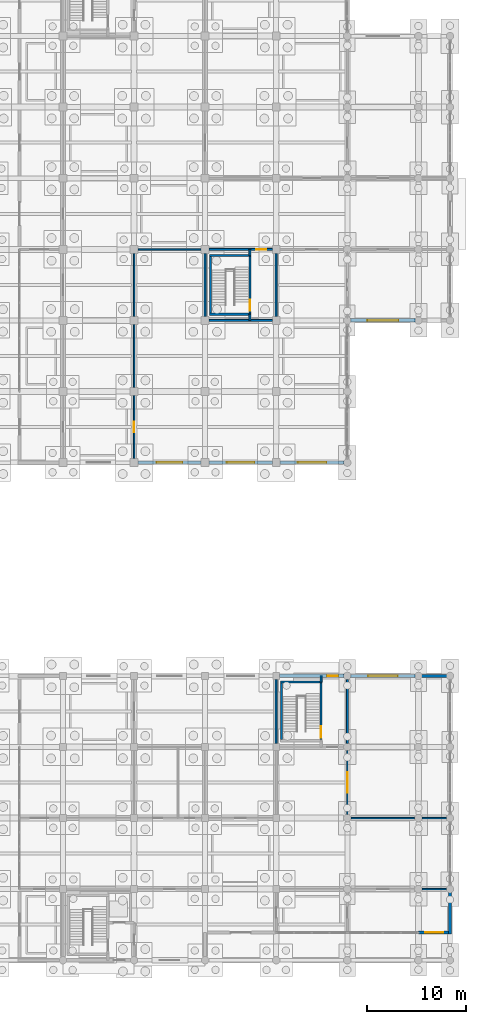
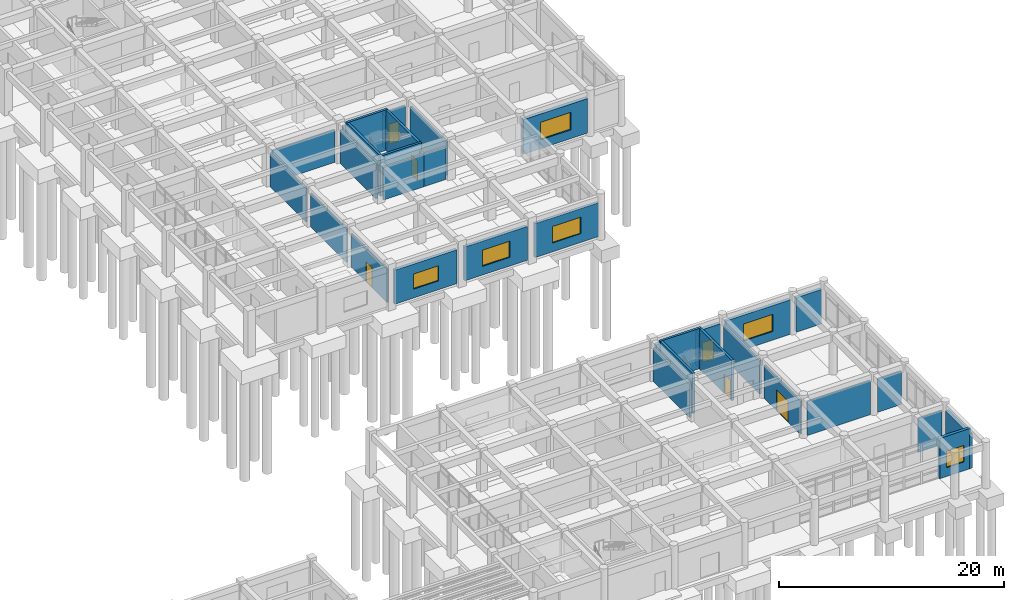
# One storey, part 67 of 79: 35 walls, 6 doors, 6 windows, 12 openings.
"""IFC4 building model written with IfcOpenShell, lengths in metres."""

from ifc_helpers import new_model, si_unit, direction, frame, frame_2d, origin, place, context, subcontext, project, spatial, rectangle, extrude, material, layer, layer_set, type_object, element, fill, save


model = new_model("IFC4")

# Units and contexts
model_context = context("Model", 3, precision=1e-05, world=origin(), true_north=direction((0.0, 1.0)))
body_context = subcontext(model_context, "Body", "Model", "MODEL_VIEW")
ifc_project = project(units=[si_unit("LENGTHUNIT", "METRE"), si_unit("AREAUNIT", "SQUARE_METRE"), si_unit("VOLUMEUNIT", "CUBIC_METRE"), si_unit("PLANEANGLEUNIT", "RADIAN"), si_unit("MASSUNIT", "GRAM", prefix="KILO")], contexts=[model_context])

# Site, building, storey
site_placement = place(None, origin())
site = spatial("IfcSite", under=ifc_project, at=site_placement, CompositionType="ELEMENT")
building_placement = place(site_placement, origin())
building = spatial("IfcBuilding", under=site, at=building_placement, Name="Kavelor Marine Aquarium", CompositionType="ELEMENT")
storey_placement = place(building_placement, origin())
storey = spatial("IfcBuildingStorey", under=building, at=storey_placement, Name="L00", CompositionType="ELEMENT", Elevation=0.0)

# Wall, opening, door
ifc_material_1 = material(Name="Concrete C45/55", Category="concrete")
ifc_layer_1 = layer(ifc_material_1, 0.360107421875)
ifc_layer_set_1 = layer_set([ifc_layer_1], Name="WL-EX1")
wall_type_1 = type_object("IfcWallType", Name="WL-EX1", PredefinedType="STANDARD", material=ifc_layer_set_1)
wall_1_placement = place(storey_placement, frame((147.544921875, 31.60009765625, 0.0), z_axis=(0.0, 0.0, 1.0), x_axis=(1.0, 0.0, 0.0)))
wall_1 = element("IfcWall", 1, at=wall_1_placement, inside=storey, type_object=wall_type_1, Name="ew:x:L00:20_04", PredefinedType="STANDARD", context=body_context, shape_type="SweptSolid", body=[
    extrude(rectangle(XDim=6.545166015625, YDim=0.360107421875, at=frame_2d((3.2724609375, 0.0))), origin(), (0.0, 0.0, 1.0), 3.669921875),
])
opening_1_placement = place(wall_1_placement, frame((4.820068359375, 0.0, 0.0)))
opening_1 = element("IfcOpeningElement", 2, at=opening_1_placement, cuts=wall_1, Name="Opening SD2", PredefinedType="OPENING", context=body_context, shape_type="SweptSolid", body=[
    extrude(rectangle(XDim=1.10009765625, YDim=2.14990234375, at=frame_2d((0.550048828125, 1.074951171875))), frame((0.0, 0.18994140625, 0.0), z_axis=(0.0, -1.0, 0.0), x_axis=(1.0, 0.0, 0.0)), (0.0, 0.0, 1.0), 0.380107),
])
ifc_material_2 = material(Name="Marine-Grade Anodised Aluminium and Laminated Safety Glass", Category="aluminium")
door_type_1 = type_object("IfcDoorType", Name="DR-SD2", OperationType="NOTDEFINED", PredefinedType="DOOR", material=ifc_material_2)
door_1_placement = place(opening_1_placement, origin())
door_1 = element("IfcDoor", 3, at=door_1_placement, inside=storey, type_object=door_type_1, Name="Protected Stair Exterior Exit Door SD2 (C09)", OperationType="SINGLE_SWING_RIGHT", OverallHeight=2.14990234375, OverallWidth=1.10009765625, PredefinedType="DOOR", context=body_context, shape_type="SweptSolid", body=[
    extrude(rectangle(XDim=1.10009765625, YDim=2.14990234375, at=frame_2d((0.550048828125, 1.074951171875))), frame((0.0, 0.02490234375, 0.0), z_axis=(0.0, -1.0, 0.0), x_axis=(1.0, 0.0, 0.0)), (0.0, 0.0, 1.0), 0.050048828125),
])
fill(opening_1, door_1)

# Wall, opening, window
wall_2_placement = place(storey_placement, frame((161.2900390625, 67.60009765625, 0.0), z_axis=(0.0, 0.0, 1.0), x_axis=(-1.0, 0.0, 0.0)))
wall_2 = element("IfcWall", 4, at=wall_2_placement, inside=storey, type_object=wall_type_1, Name="ew:x:L00:21_09", PredefinedType="STANDARD", context=body_context, shape_type="SweptSolid", body=[
    extrude(rectangle(XDim=6.580078125, YDim=0.360107421875, at=frame_2d((3.2900390625, 0.0))), origin(), (0.0, 0.0, 1.0), 3.75),
])
opening_2_placement = place(wall_2_placement, frame((1.715087890625, 0.0, 0.949951171875)))
opening_2 = element("IfcOpeningElement", 5, at=opening_2_placement, cuts=wall_2, Name="Opening W21", PredefinedType="OPENING", context=body_context, shape_type="SweptSolid", body=[
    extrude(rectangle(XDim=3.14990234375, YDim=1.89990234375, at=frame_2d((1.574951171875, 0.949951171875))), frame((0.0, 0.18994140625, 0.0), z_axis=(0.0, -1.0, 0.0), x_axis=(1.0, 0.0, 0.0)), (0.0, 0.0, 1.0), 0.380107),
])
ifc_material_3 = material(Name="Anodised Aluminium Frame with Low-E Double Glazing", Category="aluminium")
window_type_1 = type_object("IfcWindowType", Name="WIN-W21", PartitioningType="DOUBLE_PANEL_VERTICAL", PredefinedType="WINDOW", material=ifc_material_3)
window_1_placement = place(opening_2_placement, origin())
window_1 = element("IfcWindow", 6, at=window_1_placement, inside=storey, type_object=window_type_1, Name="win:x:L00:21_09", OverallHeight=1.89990234375, OverallWidth=3.14990234375, PartitioningType="SINGLE_PANEL", PredefinedType="WINDOW", context=body_context, shape_type="SweptSolid", body=[
    extrude(rectangle(XDim=3.14990234375, YDim=1.89990234375, at=frame_2d((1.574951171875, 0.949951171875))), frame((0.0, 0.030029296875, 0.0), z_axis=(0.0, -1.0, 0.0), x_axis=(1.0, 0.0, 0.0)), (0.0, 0.0, 1.0), 0.06005859375),
])
fill(opening_2, window_1)

ifc_material_4 = material(Name="Concrete C45/55", Category="concrete")
ifc_layer_2 = layer(ifc_material_4, 0.320068359375)
ifc_layer_set_2 = layer_set([ifc_layer_2], Name="WL-EX2")
wall_type_2 = type_object("IfcWallType", Name="WL-EX2", PredefinedType="STANDARD", material=ifc_layer_set_2)
wall_3_placement = place(storey_placement, frame((139.60498046875, 53.199951171875, 0.0), z_axis=(0.0, 0.0, 1.0), x_axis=(-1.0, 0.0, 0.0)))
wall_3 = element("IfcWall", 7, at=wall_3_placement, inside=storey, type_object=wall_type_2, Name="ew:x:L00:18_07", PredefinedType="STANDARD", context=body_context, shape_type="SweptSolid", body=[
    extrude(rectangle(XDim=6.409912109375, YDim=0.320068359375, at=frame_2d((3.205078125, 0.0))), origin(), (0.0, 0.0, 1.0), 3.669921875),
])
opening_3_placement = place(wall_3_placement, frame((1.905029296875, 0.0, 0.949951171875)))
opening_3 = element("IfcOpeningElement", 8, at=opening_3_placement, cuts=wall_3, Name="Opening W16", PredefinedType="OPENING", context=body_context, shape_type="SweptSolid", body=[
    extrude(rectangle(XDim=2.60009765625, YDim=1.64990234375, at=frame_2d((1.300048828125, 0.824951171875))), frame((0.0, 0.169921875, 0.0), z_axis=(0.0, -1.0, 0.0), x_axis=(1.0, 0.0, 0.0)), (0.0, 0.0, 1.0), 0.340068),
])
ifc_material_5 = material(Name="Anodised Aluminium Frame with Low-E Double Glazing", Category="aluminium")
window_type_2 = type_object("IfcWindowType", Name="WIN-W16", PartitioningType="DOUBLE_PANEL_VERTICAL", PredefinedType="WINDOW", material=ifc_material_5)
window_2_placement = place(opening_3_placement, origin())
window_2 = element("IfcWindow", 9, at=window_2_placement, inside=storey, type_object=window_type_2, Name="win:x:L00:18_07", OverallHeight=1.64990234375, OverallWidth=2.60009765625, PartitioningType="SINGLE_PANEL", PredefinedType="WINDOW", context=body_context, shape_type="SweptSolid", body=[
    extrude(rectangle(XDim=2.60009765625, YDim=1.64990234375, at=frame_2d((1.300048828125, 0.824951171875))), frame((0.0, 0.030029296875, 0.0), z_axis=(0.0, -1.0, 0.0), x_axis=(1.0, 0.0, 0.0)), (0.0, 0.0, 1.0), 0.06005859375),
])
fill(opening_3, window_2)

wall_4_placement = place(storey_placement, frame((154.7099609375, 31.60009765625, 0.0), z_axis=(0.0, 0.0, 1.0), x_axis=(1.0, 0.0, 0.0)))
wall_4 = element("IfcWall", 10, at=wall_4_placement, inside=storey, type_object=wall_type_2, Name="ew:x:L00:21_04", PredefinedType="STANDARD", context=body_context, shape_type="SweptSolid", body=[
    extrude(rectangle(XDim=6.580078125, YDim=0.320068359375, at=frame_2d((3.2900390625, 0.0))), origin(), (0.0, 0.0, 1.0), 3.75),
])
opening_4_placement = place(wall_4_placement, frame((1.7900390625, 0.0, 0.949951171875)))
opening_4 = element("IfcOpeningElement", 11, at=opening_4_placement, cuts=wall_4, Name="Opening W20", PredefinedType="OPENING", context=body_context, shape_type="SweptSolid", body=[
    extrude(rectangle(XDim=3.0, YDim=1.85009765625, at=frame_2d((1.5, 0.925048828125))), frame((0.0, 0.169921875, 0.0), z_axis=(0.0, -1.0, 0.0), x_axis=(1.0, 0.0, 0.0)), (0.0, 0.0, 1.0), 0.340068),
])
ifc_material_6 = material(Name="Anodised Aluminium Frame with Low-E Double Glazing", Category="aluminium")
window_type_3 = type_object("IfcWindowType", Name="WIN-W20", PartitioningType="DOUBLE_PANEL_VERTICAL", PredefinedType="WINDOW", material=ifc_material_6)
window_3_placement = place(opening_4_placement, origin())
window_3 = element("IfcWindow", 12, at=window_3_placement, inside=storey, type_object=window_type_3, Name="win:x:L00:21_04", OverallHeight=1.85009765625, OverallWidth=3.0, PartitioningType="SINGLE_PANEL", PredefinedType="WINDOW", context=body_context, shape_type="SweptSolid", body=[
    extrude(rectangle(XDim=3.0, YDim=1.85009765625, at=frame_2d((1.5, 0.925048828125))), frame((0.0, 0.030029296875, 0.0), z_axis=(0.0, -1.0, 0.0), x_axis=(1.0, 0.0, 0.0)), (0.0, 0.0, 1.0), 0.06005859375),
])
fill(opening_4, window_3)

wall_5_placement = place(storey_placement, frame((164.800048828125, 5.60009765625, 0.0), z_axis=(0.0, 0.0, 1.0), x_axis=(-1.0, 0.0, 0.0)))
wall_5 = element("IfcWall", 13, at=wall_5_placement, inside=storey, type_object=wall_type_2, Name="ew:arc:v3s:22", PredefinedType="STANDARD", context=body_context, shape_type="SweptSolid", body=[
    extrude(rectangle(XDim=3.199951171875, YDim=0.300048828125, at=frame_2d((1.60009765625, 0.0))), origin(), (0.0, 0.0, 1.0), 4.3701171875),
])
opening_5_placement = place(wall_5_placement, frame((0.699951171875, 0.0, 0.949951171875)))
opening_5 = element("IfcOpeningElement", 14, at=opening_5_placement, cuts=wall_5, Name="Opening W08", PredefinedType="OPENING", context=body_context, shape_type="SweptSolid", body=[
    extrude(rectangle(XDim=1.800048828125, YDim=1.800048828125, at=frame_2d((0.89990234375, 0.89990234375))), frame((0.0, 0.159912109375, 0.0), z_axis=(0.0, -1.0, 0.0), x_axis=(1.0, 0.0, 0.0)), (0.0, 0.0, 1.0), 0.320049),
])
ifc_material_7 = material(Name="Anodised Aluminium Frame with Low-E Double Glazing", Category="aluminium")
window_type_4 = type_object("IfcWindowType", Name="WIN-W08", PartitioningType="DOUBLE_PANEL_VERTICAL", PredefinedType="WINDOW", material=ifc_material_7)
window_4_placement = place(opening_5_placement, origin())
window_4 = element("IfcWindow", 15, at=window_4_placement, inside=storey, type_object=window_type_4, Name="win:arc:v3s:22", OverallHeight=1.800048828125, OverallWidth=1.800048828125, PartitioningType="SINGLE_PANEL", PredefinedType="WINDOW", context=body_context, shape_type="SweptSolid", body=[
    extrude(rectangle(XDim=1.800048828125, YDim=1.800048828125, at=frame_2d((0.89990234375, 0.89990234375))), frame((0.0, 0.030029296875, 0.0), z_axis=(0.0, -1.0, 0.0), x_axis=(1.0, 0.0, 0.0)), (0.0, 0.0, 1.0), 0.06005859375),
])
fill(opening_5, window_4)

ifc_material_8 = material(Name="Concrete C40/50", Category="concrete")
ifc_layer_3 = layer(ifc_material_8, 0.300048828125)
ifc_layer_set_3 = layer_set([ifc_layer_3], Name="WL-EX3")
wall_type_3 = type_object("IfcWallType", Name="WL-EX3", PredefinedType="STANDARD", material=ifc_layer_set_3)
wall_6_placement = place(storey_placement, frame((146.804931640625, 53.199951171875, 0.0), z_axis=(0.0, 0.0, 1.0), x_axis=(-1.0, 0.0, 0.0)))
wall_6 = element("IfcWall", 16, at=wall_6_placement, inside=storey, type_object=wall_type_3, Name="ew:x:L00:19_07", PredefinedType="STANDARD", context=body_context, shape_type="SweptSolid", body=[
    extrude(rectangle(XDim=6.409912109375, YDim=0.300048828125, at=frame_2d((3.205078125, 0.0))), origin(), (0.0, 0.0, 1.0), 3.669921875),
])
opening_6_placement = place(wall_6_placement, frame((1.804931640625, 0.0, 0.949951171875)))
opening_6 = element("IfcOpeningElement", 17, at=opening_6_placement, cuts=wall_6, Name="Opening W18", PredefinedType="OPENING", context=body_context, shape_type="SweptSolid", body=[
    extrude(rectangle(XDim=2.800048828125, YDim=1.75, at=frame_2d((1.39990234375, 0.875))), frame((0.0, 0.159912109375, 0.0), z_axis=(0.0, -1.0, 0.0), x_axis=(1.0, 0.0, 0.0)), (0.0, 0.0, 1.0), 0.320049),
])
ifc_material_9 = material(Name="Anodised Aluminium Frame with Low-E Double Glazing", Category="aluminium")
window_type_5 = type_object("IfcWindowType", Name="WIN-W18", PartitioningType="DOUBLE_PANEL_VERTICAL", PredefinedType="WINDOW", material=ifc_material_9)
window_5_placement = place(opening_6_placement, origin())
window_5 = element("IfcWindow", 18, at=window_5_placement, inside=storey, type_object=window_type_5, Name="win:x:L00:19_07", OverallHeight=1.75, OverallWidth=2.800048828125, PartitioningType="SINGLE_PANEL", PredefinedType="WINDOW", context=body_context, shape_type="SweptSolid", body=[
    extrude(rectangle(XDim=2.800048828125, YDim=1.75, at=frame_2d((1.39990234375, 0.875))), frame((0.0, 0.030029296875, 0.0), z_axis=(0.0, -1.0, 0.0), x_axis=(1.0, 0.0, 0.0)), (0.0, 0.0, 1.0), 0.06005859375),
])
fill(opening_6, window_5)

# Wall
wall_7_placement = place(storey_placement, frame((161.909912109375, 31.60009765625, 0.0), z_axis=(0.0, 0.0, 1.0), x_axis=(1.0, 0.0, 0.0)))
element("IfcWall", 19, at=wall_7_placement, inside=storey, type_object=wall_type_3, Name="ew:x:L00:22_04", PredefinedType="STANDARD", context=body_context, shape_type="SweptSolid", body=[
    extrude(rectangle(XDim=2.580078125, YDim=0.300048828125, at=frame_2d((1.2900390625, 0.0))), origin(), (0.0, 0.0, 1.0), 3.75),
])

# Wall, opening, window
ifc_material_10 = material(Name="Concrete C40/50", Category="concrete")
ifc_layer_4 = layer(ifc_material_10, 0.280029296875)
ifc_layer_set_4 = layer_set([ifc_layer_4], Name="WL-EX4")
wall_type_4 = type_object("IfcWallType", Name="WL-EX4", PredefinedType="STANDARD", material=ifc_layer_set_4)
wall_8_placement = place(storey_placement, frame((154.090087890625, 53.199951171875, 0.0), z_axis=(0.0, 0.0, 1.0), x_axis=(-1.0, 0.0, 0.0)))
wall_8 = element("IfcWall", 20, at=wall_8_placement, inside=storey, type_object=wall_type_4, Name="ew:x:L00:20_07", PredefinedType="STANDARD", context=body_context, shape_type="SweptSolid", body=[
    extrude(rectangle(XDim=6.4951171875, YDim=0.280029296875, at=frame_2d((3.24755859375, 0.0))), origin(), (0.0, 0.0, 1.0), 3.669921875),
])
opening_7_placement = place(wall_8_placement, frame((1.797607421875, 0.0, 0.949951171875)))
opening_7 = element("IfcOpeningElement", 21, at=opening_7_placement, cuts=wall_8, Name="Opening W19", PredefinedType="OPENING", context=body_context, shape_type="SweptSolid", body=[
    extrude(rectangle(XDim=2.89990234375, YDim=1.800048828125, at=frame_2d((1.449951171875, 0.89990234375))), frame((0.0, 0.14990234375, 0.0), z_axis=(0.0, -1.0, 0.0), x_axis=(1.0, 0.0, 0.0)), (0.0, 0.0, 1.0), 0.300029),
])
ifc_material_11 = material(Name="Anodised Aluminium Frame with Low-E Double Glazing", Category="aluminium")
window_type_6 = type_object("IfcWindowType", Name="WIN-W19", PartitioningType="DOUBLE_PANEL_VERTICAL", PredefinedType="WINDOW", material=ifc_material_11)
window_6_placement = place(opening_7_placement, origin())
window_6 = element("IfcWindow", 22, at=window_6_placement, inside=storey, type_object=window_type_6, Name="win:x:L00:20_07", OverallHeight=1.800048828125, OverallWidth=2.89990234375, PartitioningType="SINGLE_PANEL", PredefinedType="WINDOW", context=body_context, shape_type="SweptSolid", body=[
    extrude(rectangle(XDim=2.89990234375, YDim=1.800048828125, at=frame_2d((1.449951171875, 0.89990234375))), frame((0.0, 0.030029296875, 0.0), z_axis=(0.0, -1.0, 0.0), x_axis=(1.0, 0.0, 0.0)), (0.0, 0.0, 1.0), 0.06005859375),
])
fill(opening_7, window_6)

# Walls
ifc_material_12 = material(Name="Concrete C45/55", Category="concrete")
ifc_layer_5 = layer(ifc_material_12, 0.340087890625)
ifc_layer_set_5 = layer_set([ifc_layer_5], Name="WL-EX6")
wall_type_5 = type_object("IfcWallType", Name="WL-EX6", PredefinedType="STANDARD", material=ifc_layer_set_5)
wall_9_placement = place(storey_placement, frame((164.800048828125, 9.68994140625, 0.0), z_axis=(0.0, 0.0, 1.0), x_axis=(0.0, -1.0, 0.0)))
element("IfcWall", 23, at=wall_9_placement, inside=storey, type_object=wall_type_5, Name="ew:y:L00:23_00", PredefinedType="STANDARD", context=body_context, shape_type="SweptSolid", body=[
    extrude(rectangle(XDim=4.239990234375, YDim=0.340087890625, at=frame_2d((2.1201171875, 0.0))), origin(), (0.0, 0.0, 1.0), 3.75),
])
ifc_material_13 = material(Name="Concrete Blockwork Partition", Category="masonry")
ifc_layer_6 = layer(ifc_material_13, 0.199951171875)
ifc_layer_set_6 = layer_set([ifc_layer_6], Name="WL-PT1")
wall_type_6 = type_object("IfcWallType", Name="WL-PT1", PredefinedType="PARTITIONING", material=ifc_layer_set_6)
wall_10_placement = place(storey_placement, frame((151.739990234375, 30.97998046875, 0.0), z_axis=(0.0, 0.0, 1.0), x_axis=(0.0, 1.0, 0.0)))
element("IfcWall", 24, at=wall_10_placement, inside=storey, type_object=wall_type_6, Name="pt:st_close:n:C09:L00", PredefinedType="PARTITIONING", context=body_context, shape_type="SweptSolid", body=[
    extrude(rectangle(XDim=0.6201171875, YDim=0.199951171875, at=frame_2d((0.31005859375, 0.0))), origin(), (0.0, 0.0, 1.0), 3.669921875),
])
wall_11_placement = place(storey_placement, frame((147.199951171875, 24.75, 0.0), z_axis=(0.0, 0.0, 1.0), x_axis=(0.0, 1.0, 0.0)))
element("IfcWall", 25, at=wall_11_placement, inside=storey, type_object=wall_type_6, Name="pt:lob:C09:L00:w", PredefinedType="PARTITIONING", context=body_context, shape_type="SweptSolid", body=[
    extrude(rectangle(XDim=6.5, YDim=0.199951171875, at=frame_2d((3.25, 0.0))), origin(), (0.0, 0.0, 1.0), 3.6201171875),
])
wall_12_placement = place(storey_placement, frame((154.39990234375, 24.77490234375, 0.0), z_axis=(0.0, 0.0, 1.0), x_axis=(0.0, 1.0, 0.0)))
element("IfcWall", 26, at=wall_12_placement, inside=storey, type_object=wall_type_6, Name="pt:lob:C09:L00:e", PredefinedType="PARTITIONING", context=body_context, shape_type="SweptSolid", body=[
    extrude(rectangle(XDim=6.4501953125, YDim=0.199951171875, at=frame_2d((3.22509765625, 0.0))), origin(), (0.0, 0.0, 1.0), 3.6201171875),
])
wall_13_placement = place(storey_placement, frame((144.5400390625, 67.60009765625, 0.0), z_axis=(0.0, 0.0, 1.0), x_axis=(0.0, 1.0, 0.0)))
element("IfcWall", 27, at=wall_13_placement, inside=storey, type_object=wall_type_6, Name="pt:st_close:s:C11:L00", PredefinedType="PARTITIONING", context=body_context, shape_type="SweptSolid", body=[
    extrude(rectangle(XDim=0.619873046875, YDim=0.199951171875, at=frame_2d((0.31005859375, 0.0))), origin(), (0.0, 0.0, 1.0), 3.52001953125),
])
wall_14_placement = place(storey_placement, frame((144.5400390625, 74.179931640625, 0.0), z_axis=(0.0, 0.0, 1.0), x_axis=(0.0, 1.0, 0.0)))
element("IfcWall", 28, at=wall_14_placement, inside=storey, type_object=wall_type_6, Name="pt:st_close:n:C11:L00", PredefinedType="PARTITIONING", context=body_context, shape_type="SweptSolid", body=[
    extrude(rectangle(XDim=0.6201171875, YDim=0.199951171875, at=frame_2d((0.31005859375, 0.0))), origin(), (0.0, 0.0, 1.0), 3.6201171875),
])
for number, where, z_axis, x_axis, name in (
    (29, (140.0, 68.0, 0.0), (0.0, 0.0, 1.0), (0.0, 1.0, 0.0), "pt:lob:C11:L00:w"),
    (30, (147.199951171875, 68.0, 0.0), (0.0, 0.0, 1.0), (0.0, 1.0, 0.0), "pt:lob:C11:L00:e"),
):
    element("IfcWall", number, at=place(storey_placement, frame(where, z_axis=z_axis, x_axis=x_axis)), inside=storey, type_object=wall_type_6, Name=name, PredefinedType="PARTITIONING", context=body_context, shape_type="SweptSolid", body=[
        extrude(rectangle(XDim=6.39990234375, YDim=0.199951171875, at=frame_2d((3.199951171875, 0.0))), origin(), (0.0, 0.0, 1.0), 3.6201171875),
    ])
wall_15_placement = place(storey_placement, frame((140.39990234375, 67.60009765625, 0.0), z_axis=(0.0, 0.0, 1.0), x_axis=(1.0, 0.0, 0.0)))
element("IfcWall", 31, at=wall_15_placement, inside=storey, type_object=wall_type_6, Name="pt:lob:C11:L00:s_st", PredefinedType="PARTITIONING", context=body_context, shape_type="SweptSolid", body=[
    extrude(rectangle(XDim=4.14013671875, YDim=0.199951171875, at=frame_2d((2.070068359375, 0.0))), origin(), (0.0, 0.0, 1.0), 3.52001953125),
])
wall_16_placement = place(storey_placement, frame((144.5400390625, 67.60009765625, 0.0), z_axis=(0.0, 0.0, 1.0), x_axis=(1.0, 0.0, 0.0)))
element("IfcWall", 32, at=wall_16_placement, inside=storey, type_object=wall_type_6, Name="pt:lob:C11:L00:s", PredefinedType="PARTITIONING", context=body_context, shape_type="SweptSolid", body=[
    extrude(rectangle(XDim=2.260009765625, YDim=0.199951171875, at=frame_2d((1.1298828125, 0.0))), origin(), (0.0, 0.0, 1.0), 3.52001953125),
])
wall_17_placement = place(storey_placement, frame((140.39990234375, 74.800048828125, 0.0), z_axis=(0.0, 0.0, 1.0), x_axis=(1.0, 0.0, 0.0)))
element("IfcWall", 33, at=wall_17_placement, inside=storey, type_object=wall_type_6, Name="pt:lob:C11:L00:n_st", PredefinedType="PARTITIONING", context=body_context, shape_type="SweptSolid", body=[
    extrude(rectangle(XDim=4.14013671875, YDim=0.199951171875, at=frame_2d((2.070068359375, 0.0))), origin(), (0.0, 0.0, 1.0), 3.6201171875),
])

# Wall, opening, door
wall_18_placement = place(storey_placement, frame((144.5400390625, 74.800048828125, 0.0), z_axis=(0.0, 0.0, 1.0), x_axis=(1.0, 0.0, 0.0)))
wall_18 = element("IfcWall", 34, at=wall_18_placement, inside=storey, type_object=wall_type_6, Name="pt:lob:C11:L00:n", PredefinedType="PARTITIONING", context=body_context, shape_type="SweptSolid", body=[
    extrude(rectangle(XDim=2.260009765625, YDim=0.199951171875, at=frame_2d((1.1298828125, 0.0))), origin(), (0.0, 0.0, 1.0), 3.6201171875),
])
opening_8_placement = place(wall_18_placement, frame((0.6201171875, 0.0, 0.0)))
opening_8 = element("IfcOpeningElement", 35, at=opening_8_placement, cuts=wall_18, Name="Opening SD1", PredefinedType="OPENING", context=body_context, shape_type="SweptSolid", body=[
    extrude(rectangle(XDim=1.02001953125, YDim=2.14990234375, at=frame_2d((0.510009765625, 1.074951171875))), frame((0.0, 0.10986328125, 0.0), z_axis=(0.0, -1.0, 0.0), x_axis=(1.0, 0.0, 0.0)), (0.0, 0.0, 1.0), 0.219951),
])
ifc_material_14 = material(Name="Fire-Rated Corridor Compartment Door")
door_type_2 = type_object("IfcDoorType", Name="DR-SD1", OperationType="NOTDEFINED", PredefinedType="DOOR", material=ifc_material_14)
door_2_placement = place(opening_8_placement, origin())
door_2 = element("IfcDoor", 36, at=door_2_placement, inside=storey, type_object=door_type_2, Name="Core Lobby Fire Door C11-L00", OperationType="SINGLE_SWING_RIGHT", OverallHeight=2.14990234375, OverallWidth=1.02001953125, PredefinedType="DOOR", context=body_context, shape_type="SweptSolid", body=[
    extrude(rectangle(XDim=1.02001953125, YDim=2.14990234375, at=frame_2d((0.510009765625, 1.074951171875))), frame((0.0, 0.02490234375, 0.0), z_axis=(0.0, -1.0, 0.0), x_axis=(1.0, 0.0, 0.0)), (0.0, 0.0, 1.0), 0.050048828125),
])
fill(opening_8, door_2)

ifc_material_15 = material(Name="Acoustic Gypsum Stud Partition")
ifc_layer_7 = layer(ifc_material_15, 0.159912109375)
ifc_layer_set_7 = layer_set([ifc_layer_7], Name="WL-PT2")
wall_type_7 = type_object("IfcWallType", Name="WL-PT2", PredefinedType="PARTITIONING", material=ifc_layer_set_7)
wall_19_placement = place(storey_placement, frame((132.800048828125, 53.60009765625, 0.0), z_axis=(0.0, 0.0, 1.0), x_axis=(0.0, 1.0, 0.0)))
wall_19 = element("IfcWall", 37, at=wall_19_placement, inside=storey, type_object=wall_type_7, Name="pt:y:L00:17_07", PredefinedType="PARTITIONING", context=body_context, shape_type="SweptSolid", body=[
    extrude(rectangle(XDim=6.39990234375, YDim=0.159912109375, at=frame_2d((3.199951171875, 0.0))), origin(), (0.0, 0.0, 1.0), 3.6201171875),
])
opening_9_placement = place(wall_19_placement, frame((2.659912109375, 0.0, 0.0)))
opening_9 = element("IfcOpeningElement", 38, at=opening_9_placement, cuts=wall_19, Name="Opening D08", PredefinedType="OPENING", context=body_context, shape_type="SweptSolid", body=[
    extrude(rectangle(XDim=1.080078125, YDim=2.159912109375, at=frame_2d((0.5400390625, 1.080078125))), frame((0.0, 0.08984375, 0.0), z_axis=(0.0, -1.0, 0.0), x_axis=(1.0, 0.0, 0.0)), (0.0, 0.0, 1.0), 0.179912),
])
ifc_material_16 = material(Name="Discovery Wet Lab Vision Door")
door_type_3 = type_object("IfcDoorType", Name="DR-D08", OperationType="NOTDEFINED", PredefinedType="DOOR", material=ifc_material_16)
door_3_placement = place(opening_9_placement, origin())
door_3 = element("IfcDoor", 39, at=door_3_placement, inside=storey, type_object=door_type_3, Name="dr:rm:pt:y:L00:17_07:0", OperationType="SINGLE_SWING_LEFT", OverallHeight=2.159912109375, OverallWidth=1.080078125, PredefinedType="DOOR", context=body_context, shape_type="SweptSolid", body=[
    extrude(rectangle(XDim=1.080078125, YDim=2.159912109375, at=frame_2d((0.5400390625, 1.080078125))), frame((0.0, 0.02490234375, 0.0), z_axis=(0.0, -1.0, 0.0), x_axis=(1.0, 0.0, 0.0)), (0.0, 0.0, 1.0), 0.050048828125),
])
fill(opening_9, door_3)

# Walls
for number, where, z_axis, x_axis, name in (
    (40, (132.800048828125, 60.800048828125, 0.0), (0.0, 0.0, 1.0), (0.0, 1.0, 0.0), "pt:y:L00:17_08"),
    (41, (132.800048828125, 68.0, 0.0), (0.0, 0.0, 1.0), (0.0, 1.0, 0.0), "pt:y:L00:17_09"),
):
    element("IfcWall", number, at=place(storey_placement, frame(where, z_axis=z_axis, x_axis=x_axis)), inside=storey, type_object=wall_type_7, Name=name, PredefinedType="PARTITIONING", context=body_context, shape_type="SweptSolid", body=[
        extrude(rectangle(XDim=6.39990234375, YDim=0.159912109375, at=frame_2d((3.199951171875, 0.0))), origin(), (0.0, 0.0, 1.0), 3.6201171875),
    ])
wall_20_placement = place(storey_placement, frame((133.199951171875, 74.800048828125, 0.0), z_axis=(0.0, 0.0, 1.0), x_axis=(1.0, 0.0, 0.0)))
element("IfcWall", 42, at=wall_20_placement, inside=storey, type_object=wall_type_7, Name="pt:x:L00:18_09", PredefinedType="PARTITIONING", context=body_context, shape_type="SweptSolid", body=[
    extrude(rectangle(XDim=6.400146484375, YDim=0.159912109375, at=frame_2d((3.2001953125, 0.0))), origin(), (0.0, 0.0, 1.0), 3.52001953125),
])

# Wall, opening, door
wall_21_placement = place(storey_placement, frame((154.39990234375, 17.574951171875, 0.0), z_axis=(0.0, 0.0, 1.0), x_axis=(0.0, 1.0, 0.0)))
wall_21 = element("IfcWall", 43, at=wall_21_placement, inside=storey, type_object=wall_type_7, Name="pt:y:L00:20_02", PredefinedType="PARTITIONING", context=body_context, shape_type="SweptSolid", body=[
    extrude(rectangle(XDim=6.449951171875, YDim=0.159912109375, at=frame_2d((3.22509765625, 0.0))), origin(), (0.0, 0.0, 1.0), 3.6201171875),
])
opening_10_placement = place(wall_21_placement, frame((2.195068359375, 0.0, 0.0)))
opening_10 = element("IfcOpeningElement", 44, at=opening_10_placement, cuts=wall_21, Name="Opening D14", PredefinedType="OPENING", context=body_context, shape_type="SweptSolid", body=[
    extrude(rectangle(XDim=2.06005859375, YDim=2.280029296875, at=frame_2d((1.030029296875, 1.14013671875))), frame((0.0, 0.08984375, 0.0), z_axis=(0.0, -1.0, 0.0), x_axis=(1.0, 0.0, 0.0)), (0.0, 0.0, 1.0), 0.179912),
])
ifc_material_17 = material(Name="LSS Filtration Equipment Double Door")
door_type_4 = type_object("IfcDoorType", Name="DR-D14", OperationType="NOTDEFINED", PredefinedType="DOOR", material=ifc_material_17)
door_4_placement = place(opening_10_placement, origin())
door_4 = element("IfcDoor", 45, at=door_4_placement, inside=storey, type_object=door_type_4, Name="dr:rm:pt:y:L00:20_02:0", OperationType="DOUBLE_DOOR_SINGLE_SWING", OverallHeight=2.280029296875, OverallWidth=2.06005859375, PredefinedType="DOOR", context=body_context, shape_type="SweptSolid", body=[
    extrude(rectangle(XDim=2.06005859375, YDim=2.280029296875, at=frame_2d((1.030029296875, 1.14013671875))), frame((0.0, 0.02490234375, 0.0), z_axis=(0.0, -1.0, 0.0), x_axis=(1.0, 0.0, 0.0)), (0.0, 0.0, 1.0), 0.050048828125),
])
fill(opening_10, door_4)

# Walls
wall_22_placement = place(storey_placement, frame((154.77490234375, 17.199951171875, 0.0), z_axis=(0.0, 0.0, 1.0), x_axis=(1.0, 0.0, 0.0)))
element("IfcWall", 46, at=wall_22_placement, inside=storey, type_object=wall_type_7, Name="pt:x:L00:21_01", PredefinedType="PARTITIONING", context=body_context, shape_type="SweptSolid", body=[
    extrude(rectangle(XDim=6.4501953125, YDim=0.159912109375, at=frame_2d((3.22509765625, 0.0))), origin(), (0.0, 0.0, 1.0), 3.699951171875),
])
wall_23_placement = place(storey_placement, frame((161.97509765625, 10.0, 0.0), z_axis=(0.0, 0.0, 1.0), x_axis=(1.0, 0.0, 0.0)))
element("IfcWall", 47, at=wall_23_placement, inside=storey, type_object=wall_type_7, Name="pt:x:L00:22_00", PredefinedType="PARTITIONING", context=body_context, shape_type="SweptSolid", body=[
    extrude(rectangle(XDim=2.449951171875, YDim=0.159912109375, at=frame_2d((1.22509765625, 0.0))), origin(), (0.0, 0.0, 1.0), 3.699951171875),
])
wall_24_placement = place(storey_placement, frame((161.97509765625, 17.199951171875, 0.0), z_axis=(0.0, 0.0, 1.0), x_axis=(1.0, 0.0, 0.0)))
element("IfcWall", 48, at=wall_24_placement, inside=storey, type_object=wall_type_7, Name="pt:x:L00:22_01", PredefinedType="PARTITIONING", context=body_context, shape_type="SweptSolid", body=[
    extrude(rectangle(XDim=2.449951171875, YDim=0.159912109375, at=frame_2d((1.22509765625, 0.0))), origin(), (0.0, 0.0, 1.0), 3.60009765625),
])
ifc_material_18 = material(Name="Concrete C40/50", Category="concrete")
ifc_layer_8 = layer(ifc_material_18, 0.35009765625)
ifc_layer_set_8 = layer_set([ifc_layer_8], Name="WL-SW2")
wall_type_8 = type_object("IfcWallType", Name="WL-SW2", PredefinedType="SHEAR", material=ifc_layer_set_8)
wall_25_placement = place(storey_placement, frame((147.6201171875, 30.97998046875, 0.0), z_axis=(0.0, 0.0, 1.0), x_axis=(1.0, 0.0, 0.0)))
element("IfcWall", 49, at=wall_25_placement, inside=storey, type_object=wall_type_8, Name="cw_st:n:C09:L00", PredefinedType="SHEAR", context=body_context, shape_type="SweptSolid", body=[
    extrude(rectangle(XDim=4.239990234375, YDim=0.239990234375, at=frame_2d((2.1201171875, 0.0))), origin(), (0.0, 0.0, 1.0), 4.3798828125),
])
wall_26_placement = place(storey_placement, frame((147.739990234375, 25.139892578125, 0.0), z_axis=(0.0, 0.0, 1.0), x_axis=(0.0, 1.0, 0.0)))
element("IfcWall", 50, at=wall_26_placement, inside=storey, type_object=wall_type_8, Name="cw_st:w:C09:L00", PredefinedType="SHEAR", context=body_context, shape_type="SweptSolid", body=[
    extrude(rectangle(XDim=5.72021484375, YDim=0.239990234375, at=frame_2d((2.860107421875, 0.0))), origin(), (0.0, 0.0, 1.0), 4.3798828125),
])

# Wall, opening, door
wall_27_placement = place(storey_placement, frame((151.739990234375, 25.139892578125, 0.0), z_axis=(0.0, 0.0, 1.0), x_axis=(0.0, 1.0, 0.0)))
wall_27 = element("IfcWall", 51, at=wall_27_placement, inside=storey, type_object=wall_type_8, Name="cw_st:e:C09:L00", PredefinedType="SHEAR", context=body_context, shape_type="SweptSolid", body=[
    extrude(rectangle(XDim=5.72021484375, YDim=0.239990234375, at=frame_2d((2.860107421875, 0.0))), origin(), (0.0, 0.0, 1.0), 4.3798828125),
])
opening_11_placement = place(wall_27_placement, frame((0.219970703125, 0.0, 0.0)))
opening_11 = element("IfcOpeningElement", 52, at=opening_11_placement, cuts=wall_27, Name="Opening FD1", PredefinedType="OPENING", context=body_context, shape_type="SweptSolid", body=[
    extrude(rectangle(XDim=1.1201171875, YDim=2.14990234375, at=frame_2d((0.56005859375, 1.074951171875))), frame((0.0, 0.1298828125, 0.0), z_axis=(0.0, -1.0, 0.0), x_axis=(1.0, 0.0, 0.0)), (0.0, 0.0, 1.0), 0.25999),
])
ifc_material_19 = material(Name="Fire-Rated Steel Stair and Core Door", Category="steel")
door_type_5 = type_object("IfcDoorType", Name="DR-FD1", OperationType="NOTDEFINED", PredefinedType="DOOR", material=ifc_material_19)
door_5_placement = place(opening_11_placement, origin())
door_5 = element("IfcDoor", 53, at=door_5_placement, inside=storey, type_object=door_type_5, Name="Stair Fire Door ST09-L00", OperationType="SINGLE_SWING_LEFT", OverallHeight=2.14990234375, OverallWidth=1.1201171875, PredefinedType="DOOR", context=body_context, shape_type="SweptSolid", body=[
    extrude(rectangle(XDim=1.1201171875, YDim=2.14990234375, at=frame_2d((0.56005859375, 1.074951171875))), frame((0.0, 0.02490234375, 0.0), z_axis=(0.0, -1.0, 0.0), x_axis=(1.0, 0.0, 0.0)), (0.0, 0.0, 1.0), 0.050048828125),
])
fill(opening_11, door_5)

# Walls
for number, where, z_axis, x_axis, name in (
    (54, (140.419921875, 68.219970703125, 0.0), (0.0, 0.0, 1.0), (1.0, 0.0, 0.0), "cw_st:s:C11:L00"),
    (55, (140.419921875, 74.179931640625, 0.0), (0.0, 0.0, 1.0), (1.0, 0.0, 0.0), "cw_st:n:C11:L00"),
):
    element("IfcWall", number, at=place(storey_placement, frame(where, z_axis=z_axis, x_axis=x_axis)), inside=storey, type_object=wall_type_8, Name=name, PredefinedType="SHEAR", context=body_context, shape_type="SweptSolid", body=[
        extrude(rectangle(XDim=4.239990234375, YDim=0.239990234375, at=frame_2d((2.1201171875, 0.0))), origin(), (0.0, 0.0, 1.0), 4.3798828125),
    ])
wall_28_placement = place(storey_placement, frame((140.5400390625, 68.340087890625, 0.0), z_axis=(0.0, 0.0, 1.0), x_axis=(0.0, 1.0, 0.0)))
element("IfcWall", 56, at=wall_28_placement, inside=storey, type_object=wall_type_8, Name="cw_st:w:C11:L00", PredefinedType="SHEAR", context=body_context, shape_type="SweptSolid", body=[
    extrude(rectangle(XDim=5.719970703125, YDim=0.239990234375, at=frame_2d((2.85986328125, 0.0))), origin(), (0.0, 0.0, 1.0), 4.3798828125),
])

# Wall, opening, door
wall_29_placement = place(storey_placement, frame((144.5400390625, 68.340087890625, 0.0), z_axis=(0.0, 0.0, 1.0), x_axis=(0.0, 1.0, 0.0)))
wall_29 = element("IfcWall", 57, at=wall_29_placement, inside=storey, type_object=wall_type_8, Name="cw_st:e:C11:L00", PredefinedType="SHEAR", context=body_context, shape_type="SweptSolid", body=[
    extrude(rectangle(XDim=5.719970703125, YDim=0.239990234375, at=frame_2d((2.85986328125, 0.0))), origin(), (0.0, 0.0, 1.0), 4.3798828125),
])
opening_12_placement = place(wall_29_placement, frame((0.219970703125, 0.0, 0.0)))
opening_12 = element("IfcOpeningElement", 58, at=opening_12_placement, cuts=wall_29, Name="Opening FD1", PredefinedType="OPENING", context=body_context, shape_type="SweptSolid", body=[
    extrude(rectangle(XDim=1.1201171875, YDim=2.14990234375, at=frame_2d((0.56005859375, 1.074951171875))), frame((0.0, 0.1298828125, 0.0), z_axis=(0.0, -1.0, 0.0), x_axis=(1.0, 0.0, 0.0)), (0.0, 0.0, 1.0), 0.25999),
])
door_6_placement = place(opening_12_placement, origin())
door_6 = element("IfcDoor", 59, at=door_6_placement, inside=storey, type_object=door_type_5, Name="Stair Fire Door ST11-L00", OperationType="SINGLE_SWING_LEFT", OverallHeight=2.14990234375, OverallWidth=1.1201171875, PredefinedType="DOOR", context=body_context, shape_type="SweptSolid", body=[
    extrude(rectangle(XDim=1.1201171875, YDim=2.14990234375, at=frame_2d((0.56005859375, 1.074951171875))), frame((0.0, 0.02490234375, 0.0), z_axis=(0.0, -1.0, 0.0), x_axis=(1.0, 0.0, 0.0)), (0.0, 0.0, 1.0), 0.050048828125),
])
fill(opening_12, door_6)

save(model, "model.ifc")
